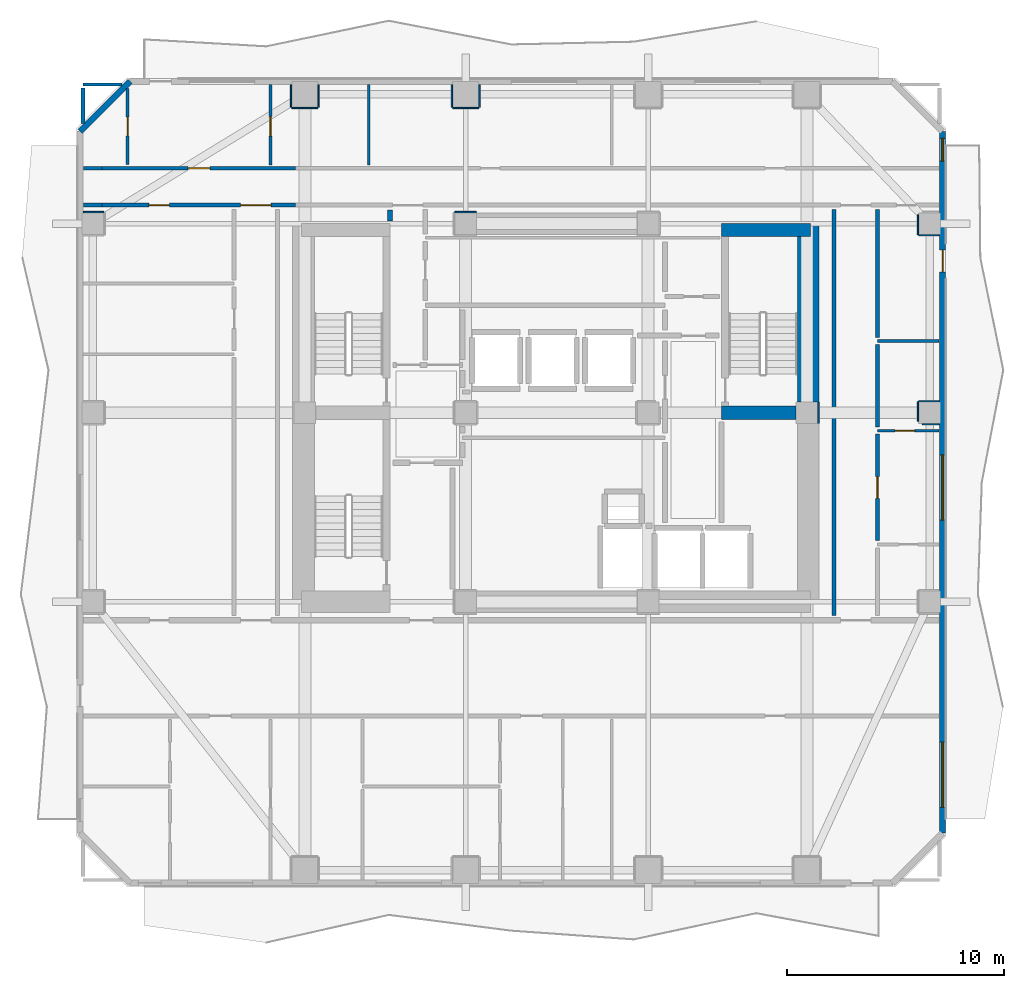
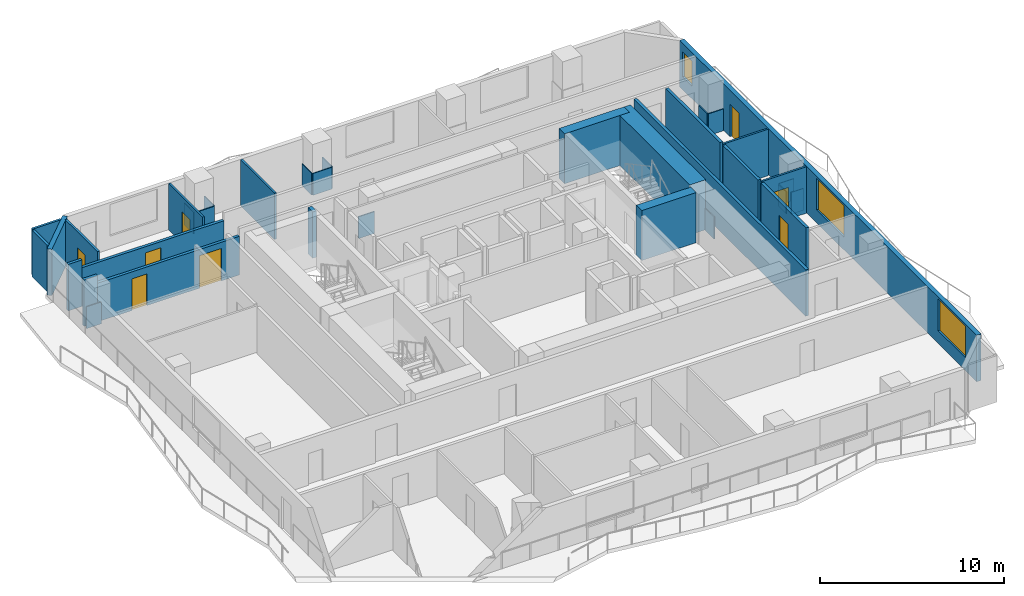
# One storey, part 5 of 10: 35 walls, 8 doors, 3 windows, 11 openings.
"""IFC4 building model written with IfcOpenShell, lengths in metres."""

from ifc_helpers import new_model, si_unit, direction, frame, frame_2d, origin, place, context, subcontext, project, spatial, rectangle, extrude, material, layer, layer_set, type_object, element, fill, save


model = new_model("IFC4")

# Units and contexts
model_context = context("Model", 3, precision=1e-05, world=origin(), true_north=direction((0.0, 1.0)))
body_context = subcontext(model_context, "Body", "Model", "MODEL_VIEW")
ifc_project = project(units=[si_unit("LENGTHUNIT", "METRE"), si_unit("AREAUNIT", "SQUARE_METRE"), si_unit("VOLUMEUNIT", "CUBIC_METRE"), si_unit("PLANEANGLEUNIT", "RADIAN"), si_unit("MASSUNIT", "GRAM", prefix="KILO")], contexts=[model_context])

# Site, building, storey
site_placement = place(None, origin())
site = spatial("IfcSite", under=ifc_project, at=site_placement, CompositionType="ELEMENT")
building_placement = place(site_placement, origin())
building = spatial("IfcBuilding", under=site, at=building_placement, Name="Solanera Arch Residences", CompositionType="ELEMENT")
storey_placement = place(building_placement, frame((0.0, 0.0, 119.360107421875)))
storey = spatial("IfcBuildingStorey", under=building, at=storey_placement, Name="L34", CompositionType="ELEMENT", Elevation=119.360107421875)

# Walls
ifc_material_1 = material(Name="Fire-Rated Gypsum Stud Partition", Category="gypsum")
ifc_layer_1 = layer(ifc_material_1, 0.06005859375)
ifc_layer_set_1 = layer_set([ifc_layer_1], Name="Fire-Rated Gypsum Stud Partition")
wall_type_1 = type_object("IfcWallType", Name="Column Acoustic Furring Wall 60", PredefinedType="PARTITIONING", material=ifc_layer_set_1)
wall_1_placement = place(storey_placement, frame((20.300048828125, 39.931884765625, 0.0), z_axis=(0.0, 0.0, 1.0), x_axis=(1.0, 0.0, 0.0)))
element("IfcWall", 1, at=wall_1_placement, inside=storey, type_object=wall_type_1, Name="L34 Column Furring 3N", PredefinedType="PARTITIONING", context=body_context, shape_type="SweptSolid", body=[
    extrude(rectangle(XDim=1.0, YDim=0.06005859375, at=frame_2d((0.5, 0.0))), origin(), (0.0, 0.0, 1.0), 1.449951171875),
])
wall_2_placement = place(storey_placement, frame((37.031982421875, 30.2099609375, 0.0), z_axis=(0.0, 0.0, 1.0), x_axis=(0.0, 1.0, 0.0)))
element("IfcWall", 2, at=wall_2_placement, inside=storey, type_object=wall_type_1, Name="L34 Column Furring 6E", PredefinedType="PARTITIONING", context=body_context, shape_type="SweptSolid", body=[
    extrude(rectangle(XDim=0.97998046875, YDim=0.06005859375, at=frame_2d((0.489990234375, 0.0))), origin(), (0.0, 0.0, 1.0), 1.449951171875),
])
wall_3_placement = place(storey_placement, frame((12.800048828125, 44.718017578125, 0.0), z_axis=(0.0, 0.0, 1.0), x_axis=(1.0, 0.0, 0.0)))
element("IfcWall", 3, at=wall_3_placement, inside=storey, type_object=wall_type_1, Name="L34 Column Furring 10S", PredefinedType="PARTITIONING", context=body_context, shape_type="SweptSolid", body=[
    extrude(rectangle(XDim=1.199951171875, YDim=0.06005859375, at=frame_2d((0.60009765625, 0.0))), origin(), (0.0, 0.0, 1.0), 1.449951171875),
])
for number, where, z_axis, x_axis, name in (
    (4, (12.76806640625, 44.75, 0.0), (0.0, 0.0, 1.0), (0.0, 1.0, 0.0), "L34 Column Furring 10W"),
    (5, (14.031982421875, 44.75, 0.0), (0.0, 0.0, 1.0), (0.0, 1.0, 0.0), "L34 Column Furring 10E"),
):
    element("IfcWall", number, at=place(storey_placement, frame(where, z_axis=z_axis, x_axis=x_axis)), inside=storey, type_object=wall_type_1, Name=name, PredefinedType="PARTITIONING", context=body_context, shape_type="SweptSolid", body=[
        extrude(rectangle(XDim=1.0400390625, YDim=0.06005859375, at=frame_2d((0.52001953125, 0.0))), origin(), (0.0, 0.0, 1.0), 1.449951171875),
    ])
wall_4_placement = place(storey_placement, frame((20.199951171875, 44.718017578125, 0.0), z_axis=(0.0, 0.0, 1.0), x_axis=(1.0, 0.0, 0.0)))
element("IfcWall", 6, at=wall_4_placement, inside=storey, type_object=wall_type_1, Name="L34 Column Furring 12S", PredefinedType="PARTITIONING", context=body_context, shape_type="SweptSolid", body=[
    extrude(rectangle(XDim=1.199951171875, YDim=0.06005859375, at=frame_2d((0.60009765625, 0.0))), origin(), (0.0, 0.0, 1.0), 1.449951171875),
])
for number, where, z_axis, x_axis, name in (
    (7, (20.16796875, 44.75, 0.0), (0.0, 0.0, 1.0), (0.0, 1.0, 0.0), "L34 Column Furring 12W"),
    (8, (21.431884765625, 44.75, 0.0), (0.0, 0.0, 1.0), (0.0, 1.0, 0.0), "L34 Column Furring 12E"),
):
    element("IfcWall", number, at=place(storey_placement, frame(where, z_axis=z_axis, x_axis=x_axis)), inside=storey, type_object=wall_type_1, Name=name, PredefinedType="PARTITIONING", context=body_context, shape_type="SweptSolid", body=[
        extrude(rectangle(XDim=1.0400390625, YDim=0.06005859375, at=frame_2d((0.52001953125, 0.0))), origin(), (0.0, 0.0, 1.0), 1.449951171875),
    ])
wall_5_placement = place(storey_placement, frame((41.81103515625, 30.16796875, 0.0), z_axis=(0.0, 0.0, 1.0), x_axis=(1.0, 0.0, 0.0)))
element("IfcWall", 9, at=wall_5_placement, inside=storey, type_object=wall_type_1, Name="L34 Column Furring 20S", PredefinedType="PARTITIONING", context=body_context, shape_type="SweptSolid", body=[
    extrude(rectangle(XDim=0.779052734375, YDim=0.06005859375, at=frame_2d((0.3896484375, 0.0))), origin(), (0.0, 0.0, 1.0), 1.449951171875),
])
wall_6_placement = place(storey_placement, frame((41.64990234375, 31.23193359375, 0.0), z_axis=(0.0, 0.0, 1.0), x_axis=(1.0, 0.0, 0.0)))
element("IfcWall", 10, at=wall_6_placement, inside=storey, type_object=wall_type_1, Name="L34 Column Furring 20N", PredefinedType="PARTITIONING", context=body_context, shape_type="SweptSolid", body=[
    extrude(rectangle(XDim=0.940185546875, YDim=0.06005859375, at=frame_2d((0.47021484375, 0.0))), origin(), (0.0, 0.0, 1.0), 1.449951171875),
])
wall_7_placement = place(storey_placement, frame((41.617919921875, 30.302978515625, 0.0), z_axis=(0.0, 0.0, 1.0), x_axis=(0.0, 1.0, 0.0)))
element("IfcWall", 11, at=wall_7_placement, inside=storey, type_object=wall_type_1, Name="L34 Column Furring 20W", PredefinedType="PARTITIONING", context=body_context, shape_type="SweptSolid", body=[
    extrude(rectangle(XDim=0.89697265625, YDim=0.06005859375, at=frame_2d((0.448486328125, 0.0))), origin(), (0.0, 0.0, 1.0), 1.449951171875),
])
wall_8_placement = place(storey_placement, frame((3.2099609375, 39.931884765625, 0.0), z_axis=(0.0, 0.0, 1.0), x_axis=(1.0, 0.0, 0.0)))
element("IfcWall", 12, at=wall_8_placement, inside=storey, type_object=wall_type_1, Name="L34 Column Furring 21N", PredefinedType="PARTITIONING", context=body_context, shape_type="SweptSolid", body=[
    extrude(rectangle(XDim=0.93994140625, YDim=0.06005859375, at=frame_2d((0.469970703125, 0.0))), origin(), (0.0, 0.0, 1.0), 1.449951171875),
])
wall_9_placement = place(storey_placement, frame((41.64990234375, 38.867919921875, 0.0), z_axis=(0.0, 0.0, 1.0), x_axis=(1.0, 0.0, 0.0)))
element("IfcWall", 13, at=wall_9_placement, inside=storey, type_object=wall_type_1, Name="L34 Column Furring 22S", PredefinedType="PARTITIONING", context=body_context, shape_type="SweptSolid", body=[
    extrude(rectangle(XDim=0.940185546875, YDim=0.06005859375, at=frame_2d((0.47021484375, 0.0))), origin(), (0.0, 0.0, 1.0), 1.449951171875),
])
wall_10_placement = place(storey_placement, frame((41.617919921875, 38.89990234375, 0.0), z_axis=(0.0, 0.0, 1.0), x_axis=(0.0, 1.0, 0.0)))
element("IfcWall", 14, at=wall_10_placement, inside=storey, type_object=wall_type_1, Name="L34 Column Furring 22W", PredefinedType="PARTITIONING", context=body_context, shape_type="SweptSolid", body=[
    extrude(rectangle(XDim=0.9111328125, YDim=0.06005859375, at=frame_2d((0.45556640625, 0.0))), origin(), (0.0, 0.0, 1.0), 1.449951171875),
])
ifc_material_2 = material(Name="Concrete C55/67 (f'c = 60 MPa)", Category="concrete")
ifc_layer_2 = layer(ifc_material_2, 1.0)
ifc_layer_set_2 = layer_set([ifc_layer_2], Name="Concrete C55/67 (f'c = 60 MPa)")
wall_type_2 = type_object("IfcWallType", Name="Core Shear Wall CW-1000", PredefinedType="SHEAR", material=ifc_layer_set_2)
wall_11_placement = place(storey_placement, frame((36.56005859375, 31.205078125, 0.0), z_axis=(0.0, 0.0, 1.0), x_axis=(0.0, 1.0, 0.0)))
element("IfcWall", 15, at=wall_11_placement, inside=storey, type_object=wall_type_2, Name="L34 East Core North Shear Wall", PredefinedType="SHEAR", context=body_context, shape_type="SweptSolid", body=[
    extrude(rectangle(XDim=8.19482421875, YDim=1.0, at=frame_2d((4.097412109375, 0.0))), origin(), (0.0, 0.0, 1.0), 3.31982421875),
])
ifc_material_3 = material(Name="Concrete C40/50 (f'c = 45 MPa)", Category="concrete")
ifc_layer_3 = layer(ifc_material_3, 0.60009765625)
ifc_layer_set_3 = layer_set([ifc_layer_3], Name="Concrete C40/50 (f'c = 45 MPa)")
wall_type_3 = type_object("IfcWallType", Name="Core Shear Wall CW-600", PredefinedType="SHEAR", material=ifc_layer_set_3)
wall_12_placement = place(storey_placement, frame((32.580078125, 39.10009765625, 0.0), z_axis=(0.0, 0.0, 1.0), x_axis=(1.0, 0.0, 0.0)))
element("IfcWall", 16, at=wall_12_placement, inside=storey, type_object=wall_type_3, Name="L34 North-East Core Shear Wall", PredefinedType="SHEAR", context=body_context, shape_type="SweptSolid", body=[
    extrude(rectangle(XDim=4.079833984375, YDim=0.60009765625, at=frame_2d((2.0400390625, 0.0))), origin(), (0.0, 0.0, 1.0), 3.31982421875),
])
wall_13_placement = place(storey_placement, frame((32.580078125, 30.699951171875, 0.0), z_axis=(0.0, 0.0, 1.0), x_axis=(1.0, 0.0, 0.0)))
element("IfcWall", 17, at=wall_13_placement, inside=storey, type_object=wall_type_3, Name="L34 East Stair Far-Landing Shear Wall", PredefinedType="SHEAR", context=body_context, shape_type="SweptSolid", body=[
    extrude(rectangle(XDim=3.4150390625, YDim=0.60009765625, at=frame_2d((1.70751953125, 0.0))), origin(), (0.0, 0.0, 1.0), 3.31982421875),
])
ifc_material_4 = material(Name="Autoclaved Aerated Concrete Blockwork", Category="masonry")
ifc_layer_4 = layer(ifc_material_4, 0.179931640625)
ifc_layer_set_4 = layer_set([ifc_layer_4], Name="Autoclaved Aerated Concrete Blockwork")
wall_type_4 = type_object("IfcWallType", Name="Corridor Fire Partition 180", PredefinedType="PARTITIONING", material=ifc_layer_set_4)
wall_14_placement = place(storey_placement, frame((3.20703125, 40.25, 0.0), z_axis=(0.0, 0.0, 1.0), x_axis=(1.0, 0.0, 0.0)))
element("IfcWall", 18, at=wall_14_placement, inside=storey, type_object=wall_type_4, Name="L34 Interior Partition H11 1", PredefinedType="PARTITIONING", context=body_context, shape_type="SweptSolid", body=[
    extrude(rectangle(XDim=0.864013671875, YDim=0.179931640625, at=frame_2d((0.43212890625, 0.0))), origin(), (0.0, 0.0, 1.0), 3.079833984375),
])

# Wall, openings, doors
wall_15_placement = place(storey_placement, frame((4.071044921875, 40.25, 0.0), z_axis=(0.0, 0.0, 1.0), x_axis=(1.0, 0.0, 0.0)))
wall_15 = element("IfcWall", 19, at=wall_15_placement, inside=storey, type_object=wall_type_4, Name="L34 Interior Partition H11 2", PredefinedType="PARTITIONING", context=body_context, shape_type="SweptSolid", body=[
    extrude(rectangle(XDim=8.907958984375, YDim=0.179931640625, at=frame_2d((4.4541015625, 0.0))), origin(), (0.0, 0.0, 1.0), 2.56494140625),
])
opening_1_placement = place(wall_15_placement, frame((6.37890625, 0.0, 0.0)))
opening_1 = element("IfcOpeningElement", 20, at=opening_1_placement, cuts=wall_15, Name="Opening DF-03", PredefinedType="OPENING", context=body_context, shape_type="SweptSolid", body=[
    extrude(rectangle(XDim=1.39990234375, YDim=2.14990234375, at=frame_2d((0.699951171875, 1.074951171875))), frame((0.0, 0.10009765625, 0.0), z_axis=(0.0, -1.0, 0.0), x_axis=(1.0, 0.0, 0.0)), (0.0, 0.0, 1.0), 0.1999),
])
opening_2_placement = place(wall_15_placement, frame((2.153076171875, 0.0, 0.0)))
opening_2 = element("IfcOpeningElement", 21, at=opening_2_placement, cuts=wall_15, Name="Opening DI-04", PredefinedType="OPENING", context=body_context, shape_type="SweptSolid", body=[
    extrude(rectangle(XDim=0.949951171875, YDim=2.10009765625, at=frame_2d((0.47509765625, 1.050048828125))), frame((0.0, 0.10009765625, 0.0), z_axis=(0.0, -1.0, 0.0), x_axis=(1.0, 0.0, 0.0)), (0.0, 0.0, 1.0), 0.1999),
])
ifc_material_5 = material(Name="Fire-Rated Architectural Hardwood", Category="wood")
door_type_1 = type_object("IfcDoorType", Name="Accessible Restroom Door DI-04", OperationType="NOTDEFINED", PredefinedType="DOOR", material=ifc_material_5)
door_1_placement = place(opening_2_placement, origin())
door_1 = element("IfcDoor", 22, at=door_1_placement, inside=storey, type_object=door_type_1, Name="DR-L34-IN-033", OperationType="SINGLE_SWING_RIGHT", OverallHeight=2.10009765625, OverallWidth=0.949951171875, PredefinedType="DOOR", context=body_context, shape_type="SweptSolid", body=[
    extrude(rectangle(XDim=0.949951171875, YDim=2.10009765625, at=frame_2d((0.47509765625, 1.050048828125))), frame((0.0, 0.02490234375, 0.0), z_axis=(0.0, -1.0, 0.0), x_axis=(1.0, 0.0, 0.0)), (0.0, 0.0, 1.0), 0.050048828125),
])
fill(opening_2, door_1)
ifc_material_6 = material(Name="Fire-Rated Architectural Hardwood", Category="wood")
door_type_2 = type_object("IfcDoorType", Name="Corridor Smoke Door DF-03", OperationType="NOTDEFINED", PredefinedType="DOOR", material=ifc_material_6)
door_2_placement = place(opening_1_placement, origin())
door_2 = element("IfcDoor", 23, at=door_2_placement, inside=storey, type_object=door_type_2, Name="DR-L34-IN-012", OperationType="SINGLE_SWING_LEFT", OverallHeight=2.14990234375, OverallWidth=1.39990234375, PredefinedType="DOOR", context=body_context, shape_type="SweptSolid", body=[
    extrude(rectangle(XDim=1.39990234375, YDim=2.14990234375, at=frame_2d((0.699951171875, 1.074951171875))), frame((0.0, 0.02490234375, 0.0), z_axis=(0.0, -1.0, 0.0), x_axis=(1.0, 0.0, 0.0)), (0.0, 0.0, 1.0), 0.050048828125),
])
fill(opening_1, door_2)

# Wall
wall_16_placement = place(storey_placement, frame((3.20703125, 41.949951171875, 0.0), z_axis=(0.0, 0.0, 1.0), x_axis=(1.0, 0.0, 0.0)))
element("IfcWall", 24, at=wall_16_placement, inside=storey, type_object=wall_type_4, Name="L34 Interior Partition H12 1", PredefinedType="PARTITIONING", context=body_context, shape_type="SweptSolid", body=[
    extrude(rectangle(XDim=0.864013671875, YDim=0.179931640625, at=frame_2d((0.43212890625, 0.0))), origin(), (0.0, 0.0, 1.0), 3.079833984375),
])

# Wall, opening, door
wall_17_placement = place(storey_placement, frame((4.071044921875, 41.949951171875, 0.0), z_axis=(0.0, 0.0, 1.0), x_axis=(1.0, 0.0, 0.0)))
wall_17 = element("IfcWall", 25, at=wall_17_placement, inside=storey, type_object=wall_type_4, Name="L34 Interior Partition H12 2", PredefinedType="PARTITIONING", context=body_context, shape_type="SweptSolid", body=[
    extrude(rectangle(XDim=8.907958984375, YDim=0.179931640625, at=frame_2d((4.4541015625, 0.0))), origin(), (0.0, 0.0, 1.0), 2.56494140625),
])
opening_3_placement = place(wall_17_placement, frame((3.964111328125, 0.0, 0.0)))
opening_3 = element("IfcOpeningElement", 26, at=opening_3_placement, cuts=wall_17, Name="Opening DI-01", PredefinedType="OPENING", context=body_context, shape_type="SweptSolid", body=[
    extrude(rectangle(XDim=1.0, YDim=2.14990234375, at=frame_2d((0.5, 1.074951171875))), frame((0.0, 0.10009765625, 0.0), z_axis=(0.0, -1.0, 0.0), x_axis=(1.0, 0.0, 0.0)), (0.0, 0.0, 1.0), 0.1999),
])
ifc_material_7 = material(Name="Fire-Rated Architectural Hardwood", Category="wood")
door_type_3 = type_object("IfcDoorType", Name="Unit Entrance Fire Door DI-01", OperationType="NOTDEFINED", PredefinedType="DOOR", material=ifc_material_7)
door_3_placement = place(opening_3_placement, origin())
door_3 = element("IfcDoor", 27, at=door_3_placement, inside=storey, type_object=door_type_3, Name="DR-L34-IN-026", OperationType="SINGLE_SWING_LEFT", OverallHeight=2.14990234375, OverallWidth=1.0, PredefinedType="DOOR", context=body_context, shape_type="SweptSolid", body=[
    extrude(rectangle(XDim=1.0, YDim=2.14990234375, at=frame_2d((0.5, 1.074951171875))), frame((0.0, 0.02490234375, 0.0), z_axis=(0.0, -1.0, 0.0), x_axis=(1.0, 0.0, 0.0)), (0.0, 0.0, 1.0), 0.050048828125),
])
fill(opening_3, door_3)

# Walls
wall_18_placement = place(storey_placement, frame((3.199951171875, 44.0048828125, 0.0), z_axis=(0.0, 0.0, 1.0), x_axis=(0.0, 1.0, 0.0)))
element("IfcWall", 28, at=wall_18_placement, inside=storey, type_object=wall_type_4, Name="L34 Interior Partition V7 2", PredefinedType="PARTITIONING", context=body_context, shape_type="SweptSolid", body=[
    extrude(rectangle(XDim=1.627197265625, YDim=0.179931640625, at=frame_2d((0.8134765625, 0.0))), origin(), (0.0, 0.0, 1.0), 3.079833984375),
])
wall_19_placement = place(storey_placement, frame((37.75, 21.367919921875, 0.0), z_axis=(0.0, 0.0, 1.0), x_axis=(0.0, 1.0, 0.0)))
element("IfcWall", 29, at=wall_19_placement, inside=storey, type_object=wall_type_4, Name="L34 Interior Partition V11", PredefinedType="PARTITIONING", context=body_context, shape_type="SweptSolid", body=[
    extrude(rectangle(XDim=18.694091796875, YDim=0.179931640625, at=frame_2d((9.34716796875, 0.0))), origin(), (0.0, 0.0, 1.0), 3.079833984375),
])

# Wall, opening, door
wall_20_placement = place(storey_placement, frame((39.75, 24.81298828125, 0.0), z_axis=(0.0, 0.0, 1.0), x_axis=(0.0, 1.0, 0.0)))
wall_20 = element("IfcWall", 30, at=wall_20_placement, inside=storey, type_object=wall_type_4, Name="L34 Interior Partition V12 2", PredefinedType="PARTITIONING", context=body_context, shape_type="SweptSolid", body=[
    extrude(rectangle(XDim=4.908935546875, YDim=0.179931640625, at=frame_2d((2.45458984375, 0.0))), origin(), (0.0, 0.0, 1.0), 3.079833984375),
])
opening_4_placement = place(wall_20_placement, frame((1.949951171875, 0.0, 0.0)))
opening_4 = element("IfcOpeningElement", 31, at=opening_4_placement, cuts=wall_20, Name="Opening DI-01", PredefinedType="OPENING", context=body_context, shape_type="SweptSolid", body=[
    extrude(rectangle(XDim=1.0, YDim=2.14990234375, at=frame_2d((0.5, 1.074951171875))), frame((0.0, 0.10009765625, 0.0), z_axis=(0.0, -1.0, 0.0), x_axis=(1.0, 0.0, 0.0)), (0.0, 0.0, 1.0), 0.1999),
])
door_4_placement = place(opening_4_placement, origin())
door_4 = element("IfcDoor", 32, at=door_4_placement, inside=storey, type_object=door_type_3, Name="DR-L34-IN-034", OperationType="SINGLE_SWING_LEFT", OverallHeight=2.14990234375, OverallWidth=1.0, PredefinedType="DOOR", context=body_context, shape_type="SweptSolid", body=[
    extrude(rectangle(XDim=1.0, YDim=2.14990234375, at=frame_2d((0.5, 1.074951171875))), frame((0.0, 0.02490234375, 0.0), z_axis=(0.0, -1.0, 0.0), x_axis=(1.0, 0.0, 0.0)), (0.0, 0.0, 1.0), 0.050048828125),
])
fill(opening_4, door_4)

# Walls
wall_21_placement = place(storey_placement, frame((39.75, 30.0380859375, 0.0), z_axis=(0.0, 0.0, 1.0), x_axis=(0.0, 1.0, 0.0)))
element("IfcWall", 33, at=wall_21_placement, inside=storey, type_object=wall_type_4, Name="L34 Interior Partition V12 3", PredefinedType="PARTITIONING", context=body_context, shape_type="SweptSolid", body=[
    extrude(rectangle(XDim=3.803955078125, YDim=0.179931640625, at=frame_2d((1.90185546875, 0.0))), origin(), (0.0, 0.0, 1.0), 3.079833984375),
])
wall_22_placement = place(storey_placement, frame((39.75, 34.157958984375, 0.0), z_axis=(0.0, 0.0, 1.0), x_axis=(0.0, 1.0, 0.0)))
element("IfcWall", 34, at=wall_22_placement, inside=storey, type_object=wall_type_4, Name="L34 Interior Partition V12 4", PredefinedType="PARTITIONING", context=body_context, shape_type="SweptSolid", body=[
    extrude(rectangle(XDim=5.904052734375, YDim=0.179931640625, at=frame_2d((2.9521484375, 0.0))), origin(), (0.0, 0.0, 1.0), 3.079833984375),
])
ifc_material_8 = material(Name="Precast Concrete C35/45", Category="concrete")
ifc_layer_5 = layer(ifc_material_8, 0.280029296875)
ifc_layer_set_5 = layer_set([ifc_layer_5], Name="Precast Concrete C35/45")
wall_type_5 = type_object("IfcWallType", Name="Exterior Wall Precast Masonry-Frame 280", PredefinedType="STANDARD", material=ifc_layer_set_5)
wall_23_placement = place(storey_placement, frame((3.054931640625, 43.64501953125, 0.0), z_axis=(0.0, 0.0, 1.0), x_axis=(0.707106781187, 0.707106781187, 0.0)))
element("IfcWall", 35, at=wall_23_placement, inside=storey, type_object=wall_type_5, Name="L34 Tower Exterior Precast Masonry-Frame Wall CH1", PredefinedType="STANDARD", context=body_context, shape_type="SweptSolid", body=[
    extrude(rectangle(XDim=3.252685546875, YDim=0.280029296875, at=frame_2d((1.62646484375, 0.0))), origin(), (0.0, 0.0, 1.0), 3.079833984375),
])

# Wall, openings, door, windows
wall_24_placement = place(storey_placement, frame((42.7451171875, 43.64501953125, 0.0), z_axis=(0.0, 0.0, 1.0), x_axis=(0.0, -1.0, 0.0)))
wall_24 = element("IfcWall", 36, at=wall_24_placement, inside=storey, type_object=wall_type_5, Name="L34 Tower Exterior Precast Masonry-Frame Wall E", PredefinedType="STANDARD", context=body_context, shape_type="SweptSolid", body=[
    extrude(rectangle(XDim=32.2900390625, YDim=0.280029296875, at=frame_2d((16.14501953125, 0.0))), origin(), (0.0, 0.0, 1.0), 3.079833984375),
])
opening_5_placement = place(wall_24_placement, frame((5.467041015625, 0.0, 0.0)))
opening_5 = element("IfcOpeningElement", 37, at=opening_5_placement, cuts=wall_24, Name="Opening DB-01", PredefinedType="OPENING", context=body_context, shape_type="SweptSolid", body=[
    extrude(rectangle(XDim=1.0, YDim=2.14990234375, at=frame_2d((0.5, 1.074951171875))), frame((0.0, 0.14990234375, 0.0), z_axis=(0.0, -1.0, 0.0), x_axis=(1.0, 0.0, 0.0)), (0.0, 0.0, 1.0), 0.3),
])
opening_6_placement = place(wall_24_placement, frame((28.097900390625, 0.0, 0.85009765625)))
opening_6 = element("IfcOpeningElement", 38, at=opening_6_placement, cuts=wall_24, Name="Opening W-12", PredefinedType="OPENING", context=body_context, shape_type="SweptSolid", body=[
    extrude(rectangle(XDim=3.0, YDim=2.10009765625, at=frame_2d((1.5, 1.050048828125))), frame((0.0, 0.14990234375, 0.0), z_axis=(0.0, -1.0, 0.0), x_axis=(1.0, 0.0, 0.0)), (0.0, 0.0, 1.0), 0.3),
])
opening_7_placement = place(wall_24_placement, frame((0.318115234375, 0.0, 0.85009765625)))
opening_7 = element("IfcOpeningElement", 39, at=opening_7_placement, cuts=wall_24, Name="Opening W-07", PredefinedType="OPENING", context=body_context, shape_type="SweptSolid", body=[
    extrude(rectangle(XDim=1.050048828125, YDim=1.64990234375, at=frame_2d((0.52490234375, 0.824951171875))), frame((0.0, 0.14990234375, 0.0), z_axis=(0.0, -1.0, 0.0), x_axis=(1.0, 0.0, 0.0)), (0.0, 0.0, 1.0), 0.3),
])
opening_8_placement = place(wall_24_placement, frame((14.883056640625, 0.0, 0.85009765625)))
opening_8 = element("IfcOpeningElement", 40, at=opening_8_placement, cuts=wall_24, Name="Opening W-12", PredefinedType="OPENING", context=body_context, shape_type="SweptSolid", body=[
    extrude(rectangle(XDim=3.0, YDim=2.10009765625, at=frame_2d((1.5, 1.050048828125))), frame((0.0, 0.14990234375, 0.0), z_axis=(0.0, -1.0, 0.0), x_axis=(1.0, 0.0, 0.0)), (0.0, 0.0, 1.0), 0.3),
])
ifc_material_9 = material(Name="Anodised Aluminium Alloy 6063-T6", Category="aluminium")
door_type_4 = type_object("IfcDoorType", Name="Glazed Balcony Swing Door DB-01", OperationType="NOTDEFINED", PredefinedType="DOOR", material=ifc_material_9)
door_5_placement = place(opening_5_placement, origin())
door_5 = element("IfcDoor", 41, at=door_5_placement, inside=storey, type_object=door_type_4, Name="DR-L34-OUT-03", OperationType="SINGLE_SWING_RIGHT", OverallHeight=2.14990234375, OverallWidth=1.0, PredefinedType="DOOR", context=body_context, shape_type="SweptSolid", body=[
    extrude(rectangle(XDim=1.0, YDim=2.14990234375, at=frame_2d((0.5, 1.074951171875))), frame((0.0, 0.02490234375, 0.0), z_axis=(0.0, -1.0, 0.0), x_axis=(1.0, 0.0, 0.0)), (0.0, 0.0, 1.0), 0.050048828125),
])
fill(opening_5, door_5)
ifc_material_10 = material(Name="Double Glazed Low-E Laminated Glass", Category="glass")
window_type_1 = type_object("IfcWindowType", Name="Punched Window W-07", PartitioningType="SINGLE_PANEL", PredefinedType="WINDOW", material=ifc_material_10)
window_1_placement = place(opening_7_placement, origin())
window_1 = element("IfcWindow", 42, at=window_1_placement, inside=storey, type_object=window_type_1, Name="L34 AMN-MTG2 Punched Window", OverallHeight=1.64990234375, OverallWidth=1.050048828125, PartitioningType="SINGLE_PANEL", PredefinedType="WINDOW", context=body_context, shape_type="SweptSolid", body=[
    extrude(rectangle(XDim=1.050048828125, YDim=1.64990234375, at=frame_2d((0.52490234375, 0.824951171875))), frame((0.0, 0.030029296875, 0.0), z_axis=(0.0, -1.0, 0.0), x_axis=(1.0, 0.0, 0.0)), (0.0, 0.0, 1.0), 0.06005859375),
])
fill(opening_7, window_1)
ifc_material_11 = material(Name="Double Glazed Low-E Laminated Glass", Category="glass")
window_type_2 = type_object("IfcWindowType", Name="Punched Window W-12", PartitioningType="TRIPLE_PANEL_VERTICAL", PredefinedType="WINDOW", material=ifc_material_11)
window_2_placement = place(opening_6_placement, origin())
window_2 = element("IfcWindow", 43, at=window_2_placement, inside=storey, type_object=window_type_2, Name="L34 AMN-LNG Punched Window", OverallHeight=2.10009765625, OverallWidth=3.0, PartitioningType="SINGLE_PANEL", PredefinedType="WINDOW", context=body_context, shape_type="SweptSolid", body=[
    extrude(rectangle(XDim=3.0, YDim=2.10009765625, at=frame_2d((1.5, 1.050048828125))), frame((0.0, 0.030029296875, 0.0), z_axis=(0.0, -1.0, 0.0), x_axis=(1.0, 0.0, 0.0)), (0.0, 0.0, 1.0), 0.06005859375),
])
fill(opening_6, window_2)
window_3_placement = place(opening_8_placement, origin())
window_3 = element("IfcWindow", 44, at=window_3_placement, inside=storey, type_object=window_type_2, Name="L34 3404-LIV Punched Window", OverallHeight=2.10009765625, OverallWidth=3.0, PartitioningType="SINGLE_PANEL", PredefinedType="WINDOW", context=body_context, shape_type="SweptSolid", body=[
    extrude(rectangle(XDim=3.0, YDim=2.10009765625, at=frame_2d((1.5, 1.050048828125))), frame((0.0, 0.030029296875, 0.0), z_axis=(0.0, -1.0, 0.0), x_axis=(1.0, 0.0, 0.0)), (0.0, 0.0, 1.0), 0.06005859375),
])
fill(opening_8, window_3)

# Wall
ifc_material_12 = material(Name="Autoclaved Aerated Concrete Blockwork", Category="masonry")
ifc_layer_6 = layer(ifc_material_12, 0.239990234375)
ifc_layer_set_6 = layer_set([ifc_layer_6], Name="Autoclaved Aerated Concrete Blockwork")
wall_type_6 = type_object("IfcWallType", Name="Shaft Wall Fire-Rated 240", PredefinedType="PARTITIONING", material=ifc_layer_set_6)
wall_25_placement = place(storey_placement, frame((17.320068359375, 39.530029296875, 0.0), z_axis=(0.0, 0.0, 1.0), x_axis=(0.0, 1.0, 0.0)))
element("IfcWall", 45, at=wall_25_placement, inside=storey, type_object=wall_type_6, Name="L34 Interior Partition V1", PredefinedType="PARTITIONING", context=body_context, shape_type="SweptSolid", body=[
    extrude(rectangle(XDim=0.501953125, YDim=0.239990234375, at=frame_2d((0.2509765625, 0.0))), origin(), (0.0, 0.0, 1.0), 3.079833984375),
])

# Wall, opening, door
ifc_material_13 = material(Name="Fire-Rated Gypsum Stud Partition", Category="gypsum")
ifc_layer_7 = layer(ifc_material_13, 0.1201171875)
ifc_layer_set_7 = layer_set([ifc_layer_7], Name="Fire-Rated Gypsum Stud Partition")
wall_type_7 = type_object("IfcWallType", Name="Unit Drywall Partition 120", PredefinedType="PARTITIONING", material=ifc_layer_set_7)
wall_26_placement = place(storey_placement, frame((39.75, 29.8798828125, 0.0), z_axis=(0.0, 0.0, 1.0), x_axis=(1.0, 0.0, 0.0)))
wall_26 = element("IfcWall", 46, at=wall_26_placement, inside=storey, type_object=wall_type_7, Name="L34 Interior Partition H19", PredefinedType="PARTITIONING", context=body_context, shape_type="SweptSolid", body=[
    extrude(rectangle(XDim=2.843017578125, YDim=0.1201171875, at=frame_2d((1.42138671875, 0.0))), origin(), (0.0, 0.0, 1.0), 3.079833984375),
])
opening_9_placement = place(wall_26_placement, frame((0.81494140625, 0.0, 0.0)))
opening_9 = element("IfcOpeningElement", 47, at=opening_9_placement, cuts=wall_26, Name="Opening DI-02", PredefinedType="OPENING", context=body_context, shape_type="SweptSolid", body=[
    extrude(rectangle(XDim=0.89990234375, YDim=2.10009765625, at=frame_2d((0.449951171875, 1.050048828125))), frame((0.0, 0.070068359375, 0.0), z_axis=(0.0, -1.0, 0.0), x_axis=(1.0, 0.0, 0.0)), (0.0, 0.0, 1.0), 0.1401),
])
ifc_material_14 = material(Name="Fire-Rated Architectural Hardwood", Category="wood")
door_type_5 = type_object("IfcDoorType", Name="Suite Room Swing Door DI-02", OperationType="NOTDEFINED", PredefinedType="DOOR", material=ifc_material_14)
door_6_placement = place(opening_9_placement, origin())
door_6 = element("IfcDoor", 48, at=door_6_placement, inside=storey, type_object=door_type_5, Name="DR-L34-IN-036", OperationType="SINGLE_SWING_LEFT", OverallHeight=2.10009765625, OverallWidth=0.89990234375, PredefinedType="DOOR", context=body_context, shape_type="SweptSolid", body=[
    extrude(rectangle(XDim=0.89990234375, YDim=2.10009765625, at=frame_2d((0.449951171875, 1.050048828125))), frame((0.0, 0.02490234375, 0.0), z_axis=(0.0, -1.0, 0.0), x_axis=(1.0, 0.0, 0.0)), (0.0, 0.0, 1.0), 0.050048828125),
])
fill(opening_9, door_6)

# Wall
wall_27_placement = place(storey_placement, frame((39.75, 34.0, 0.0), z_axis=(0.0, 0.0, 1.0), x_axis=(1.0, 0.0, 0.0)))
element("IfcWall", 49, at=wall_27_placement, inside=storey, type_object=wall_type_7, Name="L34 Interior Partition H21", PredefinedType="PARTITIONING", context=body_context, shape_type="SweptSolid", body=[
    extrude(rectangle(XDim=2.843017578125, YDim=0.1201171875, at=frame_2d((1.42138671875, 0.0))), origin(), (0.0, 0.0, 1.0), 3.079833984375),
])

# Wall, opening, door
wall_28_placement = place(storey_placement, frame((11.820068359375, 42.10791015625, 0.0), z_axis=(0.0, 0.0, 1.0), x_axis=(0.0, 1.0, 0.0)))
wall_28 = element("IfcWall", 50, at=wall_28_placement, inside=storey, type_object=wall_type_7, Name="L34 Interior Partition V19", PredefinedType="PARTITIONING", context=body_context, shape_type="SweptSolid", body=[
    extrude(rectangle(XDim=3.68505859375, YDim=0.1201171875, at=frame_2d((1.842529296875, 0.0))), origin(), (0.0, 0.0, 1.0), 3.079833984375),
])
opening_10_placement = place(wall_28_placement, frame((1.31689453125, 0.0, 0.0)))
opening_10 = element("IfcOpeningElement", 51, at=opening_10_placement, cuts=wall_28, Name="Opening DI-02", PredefinedType="OPENING", context=body_context, shape_type="SweptSolid", body=[
    extrude(rectangle(XDim=0.89990234375, YDim=2.10009765625, at=frame_2d((0.449951171875, 1.050048828125))), frame((0.0, 0.070068359375, 0.0), z_axis=(0.0, -1.0, 0.0), x_axis=(1.0, 0.0, 0.0)), (0.0, 0.0, 1.0), 0.1401),
])
door_7_placement = place(opening_10_placement, origin())
door_7 = element("IfcDoor", 52, at=door_7_placement, inside=storey, type_object=door_type_5, Name="DR-L34-IN-028", OperationType="SINGLE_SWING_LEFT", OverallHeight=2.10009765625, OverallWidth=0.89990234375, PredefinedType="DOOR", context=body_context, shape_type="SweptSolid", body=[
    extrude(rectangle(XDim=0.89990234375, YDim=2.10009765625, at=frame_2d((0.449951171875, 1.050048828125))), frame((0.0, 0.02490234375, 0.0), z_axis=(0.0, -1.0, 0.0), x_axis=(1.0, 0.0, 0.0)), (0.0, 0.0, 1.0), 0.050048828125),
])
fill(opening_10, door_7)

# Walls
wall_29_placement = place(storey_placement, frame((16.343994140625, 42.10791015625, 0.0), z_axis=(0.0, 0.0, 1.0), x_axis=(0.0, 1.0, 0.0)))
element("IfcWall", 53, at=wall_29_placement, inside=storey, type_object=wall_type_7, Name="L34 Interior Partition V20", PredefinedType="PARTITIONING", context=body_context, shape_type="SweptSolid", body=[
    extrude(rectangle(XDim=3.68505859375, YDim=0.1201171875, at=frame_2d((1.842529296875, 0.0))), origin(), (0.0, 0.0, 1.0), 3.079833984375),
])
ifc_material_15 = material(Name="Autoclaved Aerated Concrete Blockwork", Category="masonry")
ifc_layer_8 = layer(ifc_material_15, 0.139892578125)
ifc_layer_set_8 = layer_set([ifc_layer_8], Name="Autoclaved Aerated Concrete Blockwork")
wall_type_8 = type_object("IfcWallType", Name="Wet-Room Partition 140", PredefinedType="PARTITIONING", material=ifc_layer_set_8)
wall_30_placement = place(storey_placement, frame((3.199951171875, 45.800048828125, 0.0), z_axis=(0.0, 0.0, 1.0), x_axis=(1.0, 0.0, 0.0)))
element("IfcWall", 54, at=wall_30_placement, inside=storey, type_object=wall_type_8, Name="L34 Interior Partition H17 1", PredefinedType="PARTITIONING", context=body_context, shape_type="SweptSolid", body=[
    extrude(rectangle(XDim=1.795166015625, YDim=0.139892578125, at=frame_2d((0.8974609375, 0.0))), origin(), (0.0, 0.0, 1.0), 3.079833984375),
])

# Wall, opening, door
wall_31_placement = place(storey_placement, frame((5.25, 42.117919921875, 0.0), z_axis=(0.0, 0.0, 1.0), x_axis=(0.0, 1.0, 0.0)))
wall_31 = element("IfcWall", 55, at=wall_31_placement, inside=storey, type_object=wall_type_8, Name="L34 Interior Partition V14", PredefinedType="PARTITIONING", context=body_context, shape_type="SweptSolid", body=[
    extrude(rectangle(XDim=3.507080078125, YDim=0.139892578125, at=frame_2d((1.75341796875, 0.0))), origin(), (0.0, 0.0, 1.0), 3.079833984375),
])
opening_11_placement = place(wall_31_placement, frame((1.326904296875, 0.0, 0.0)))
opening_11 = element("IfcOpeningElement", 56, at=opening_11_placement, cuts=wall_31, Name="Opening DI-05", PredefinedType="OPENING", context=body_context, shape_type="SweptSolid", body=[
    extrude(rectangle(XDim=0.860107421875, YDim=2.02001953125, at=frame_2d((0.43017578125, 1.010009765625))), frame((0.0, 0.079833984375, 0.0), z_axis=(0.0, -1.0, 0.0), x_axis=(1.0, 0.0, 0.0)), (0.0, 0.0, 1.0), 0.1599),
])
ifc_material_16 = material(Name="Fire-Rated Architectural Hardwood", Category="wood")
door_type_6 = type_object("IfcDoorType", Name="Bathroom Swing Door DI-05", OperationType="NOTDEFINED", PredefinedType="DOOR", material=ifc_material_16)
door_8_placement = place(opening_11_placement, origin())
door_8 = element("IfcDoor", 57, at=door_8_placement, inside=storey, type_object=door_type_6, Name="DR-L34-IN-027", OperationType="SINGLE_SWING_RIGHT", OverallHeight=2.02001953125, OverallWidth=0.860107421875, PredefinedType="DOOR", context=body_context, shape_type="SweptSolid", body=[
    extrude(rectangle(XDim=0.860107421875, YDim=2.02001953125, at=frame_2d((0.43017578125, 1.010009765625))), frame((0.0, 0.02490234375, 0.0), z_axis=(0.0, -1.0, 0.0), x_axis=(1.0, 0.0, 0.0)), (0.0, 0.0, 1.0), 0.050048828125),
])
fill(opening_11, door_8)

save(model, "model.ifc")
